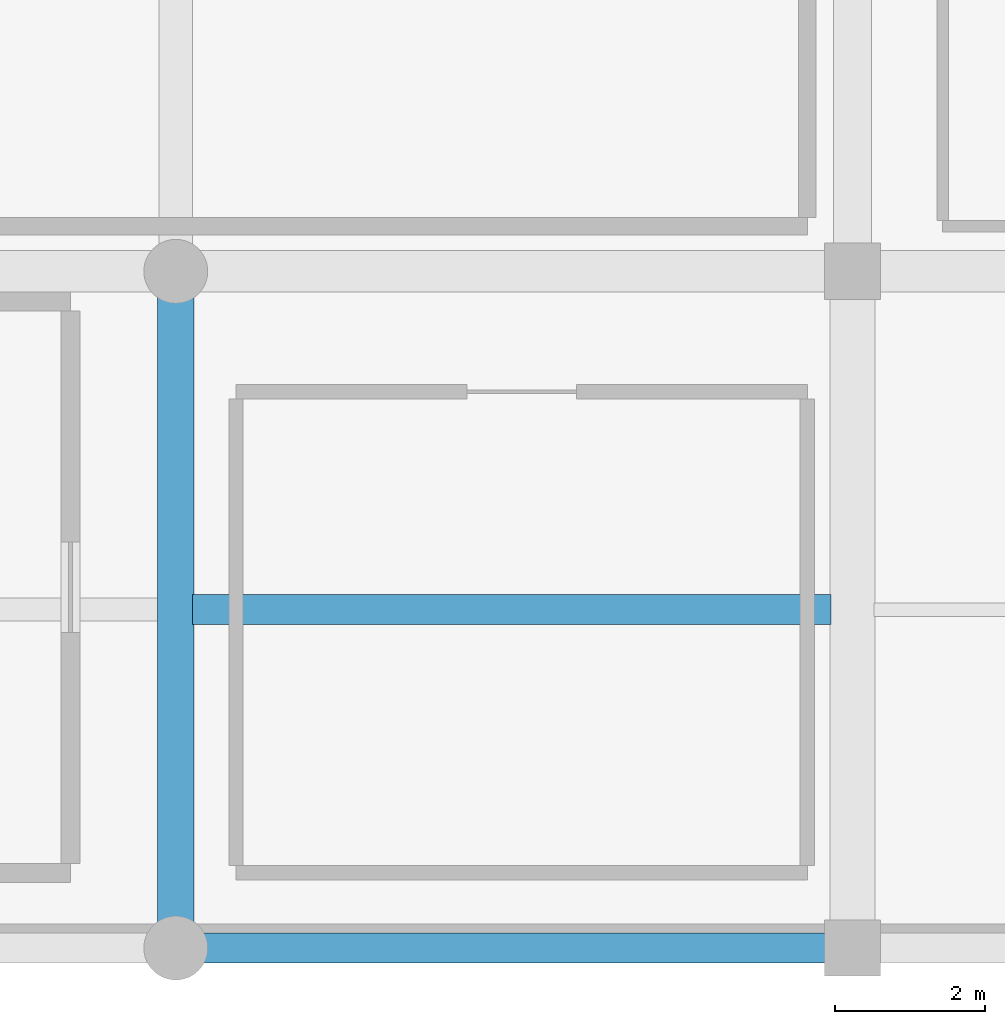
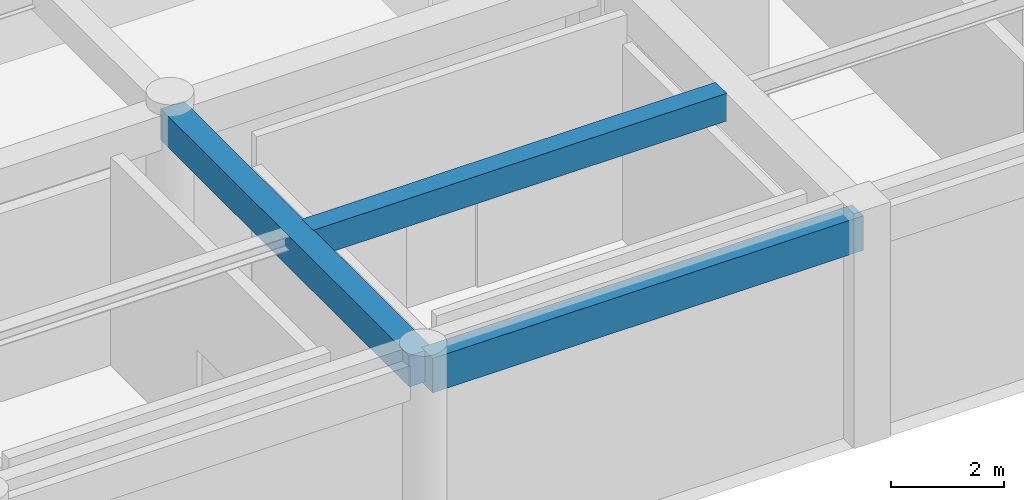
# One storey, part 16 of 128: 3 beams.
"""IFC4 building model written with IfcOpenShell, lengths in metres."""

from ifc_helpers import new_model, si_unit, direction, frame, origin, origin_2d, place, context, subcontext, project, spatial, rectangle, extrude, material, material_profile, profile_set, type_object, element, save


model = new_model("IFC4")

# Units and contexts
model_context = context("Model", 3, precision=1e-05, world=origin(), true_north=direction((0.0, 1.0)))
body_context = subcontext(model_context, "Body", "Model", "MODEL_VIEW")
ifc_project = project(units=[si_unit("LENGTHUNIT", "METRE"), si_unit("AREAUNIT", "SQUARE_METRE"), si_unit("VOLUMEUNIT", "CUBIC_METRE"), si_unit("PLANEANGLEUNIT", "RADIAN"), si_unit("MASSUNIT", "GRAM", prefix="KILO")], contexts=[model_context])

# Site, building, storey
site_placement = place(None, origin())
site = spatial("IfcSite", under=ifc_project, at=site_placement, CompositionType="ELEMENT")
building_placement = place(site_placement, origin())
building = spatial("IfcBuilding", under=site, at=building_placement, Name="Miravela Opera House", CompositionType="ELEMENT")
storey_placement = place(building_placement, origin())
storey = spatial("IfcBuildingStorey", under=building, at=storey_placement, Name="L00", CompositionType="ELEMENT", Elevation=0.0)

# Beams
ifc_material = material(Name="Concrete C35/45", Category="concrete")
ifc_material_profile_1 = material_profile(ifc_material, rectangle(XDim=0.39990234375, YDim=0.60009765625, at=origin_2d()), Name="RC-BM-400X600")
ifc_profile_set_1 = profile_set([ifc_material_profile_1])
beam_type_1 = type_object("IfcBeamType", Name="STR-BM-RC400X600", PredefinedType="JOIST", material=ifc_profile_set_1)
beam_1_placement = place(storey_placement, frame((9.22509765625, 4.5, 4.550048828125), z_axis=(1.0, 0.0, 0.0), x_axis=(0.0, 1.0, 0.0)))
element("IfcBeam", 1, at=beam_1_placement, inside=storey, type_object=beam_type_1, Name="Secondary Floor Joist L00 2-3/A-B", PredefinedType="JOIST", context=body_context, shape_type="SweptSolid", body=[
    extrude(rectangle(XDim=0.39990234375, YDim=0.60009765625, at=origin_2d()), origin(), (0.0, 0.0, 1.0), 8.489990234375),
])
ifc_material_profile_2 = material_profile(ifc_material, rectangle(XDim=0.47998046875, YDim=0.679931640625, at=origin_2d()), Name="RC-BM-480X680")
ifc_profile_set_2 = profile_set([ifc_material_profile_2])
beam_type_2 = type_object("IfcBeamType", Name="STR-BM-RC480X680", PredefinedType="BEAM", material=ifc_profile_set_2)
beam_2_placement = place(storey_placement, frame((9.0, 0.080078125, 4.510009765625), z_axis=(0.0, 1.0, 0.0), x_axis=(-1.0, 0.0, 0.0)))
element("IfcBeam", 2, at=beam_2_placement, inside=storey, type_object=beam_type_2, Name="Floor Girder L00 2/A-B", PredefinedType="BEAM", context=body_context, shape_type="SweptSolid", body=[
    extrude(rectangle(XDim=0.47998046875, YDim=0.679931640625, at=origin_2d()), origin(), (0.0, 0.0, 1.0), 8.83984375),
])
ifc_material_profile_3 = material_profile(ifc_material, rectangle(XDim=0.39990234375, YDim=0.75, at=origin_2d()), Name="RC-SPN-400X750")
ifc_profile_set_3 = profile_set([ifc_material_profile_3])
beam_type_3 = type_object("IfcBeamType", Name="STR-SPN-RC400X750", PredefinedType="SPANDREL", material=ifc_profile_set_3)
beam_3_placement = place(storey_placement, frame((9.080078125, 0.0, 4.47509765625), z_axis=(1.0, 0.0, 0.0), x_axis=(0.0, 1.0, 0.0)))
element("IfcBeam", 3, at=beam_3_placement, inside=storey, type_object=beam_type_3, Name="Floor Girder L00 2-3/A", PredefinedType="SPANDREL", context=body_context, shape_type="SweptSolid", body=[
    extrude(rectangle(XDim=0.39990234375, YDim=0.75, at=origin_2d()), origin(), (0.0, 0.0, 1.0), 8.83984375),
])

save(model, "model.ifc")
